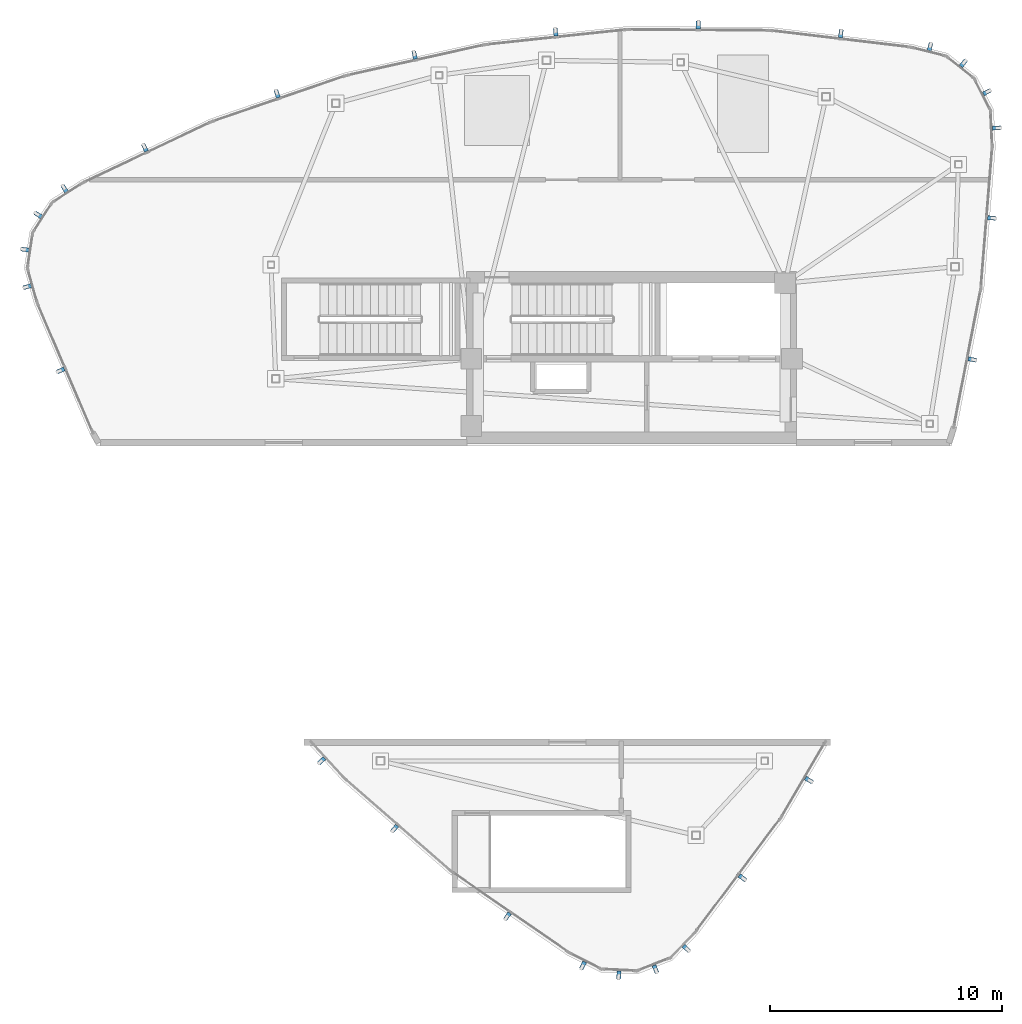
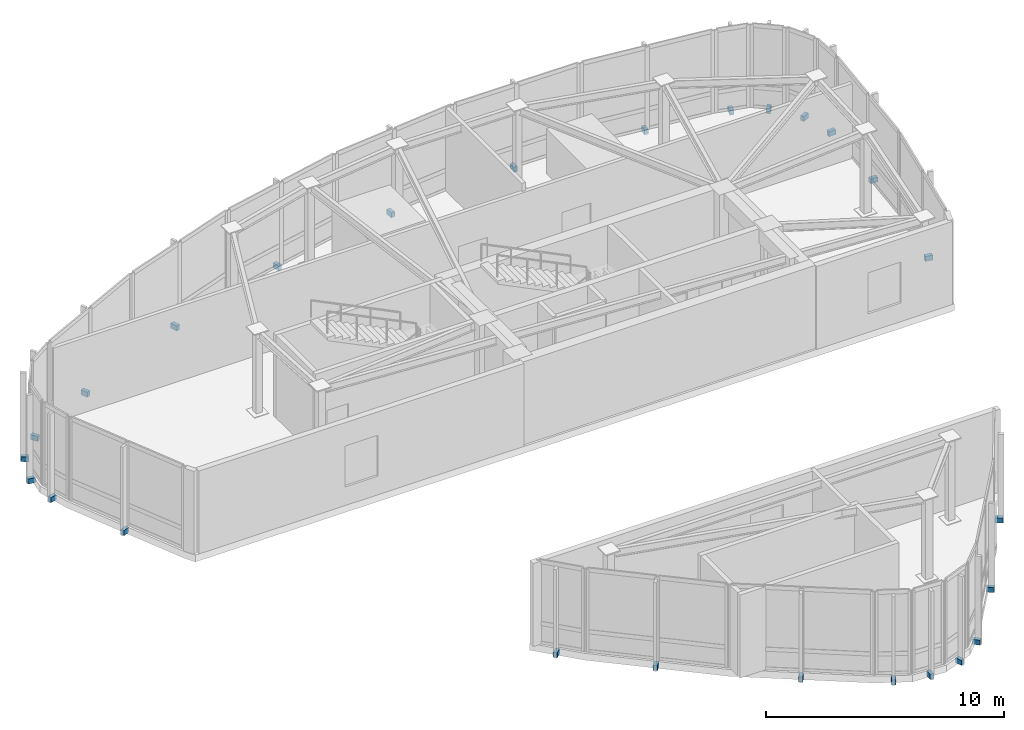
# One storey, part 11 of 15: 26 discrete accessories.
"""IFC4 building model written with IfcOpenShell, lengths in metres."""

from ifc_helpers import new_model, si_unit, direction, frame, origin, origin_2d, place, context, subcontext, project, spatial, rectangle, extrude, source, transform, mapped, material, type_object, type_shapes, element, save


model = new_model("IFC4")

# Units and contexts
model_context = context("Model", 3, precision=1e-05, world=origin(), true_north=direction((0.0, 1.0)))
body_context = subcontext(model_context, "Body", "Model", "MODEL_VIEW")
ifc_project = project(units=[si_unit("LENGTHUNIT", "METRE"), si_unit("AREAUNIT", "SQUARE_METRE"), si_unit("VOLUMEUNIT", "CUBIC_METRE"), si_unit("PLANEANGLEUNIT", "RADIAN"), si_unit("MASSUNIT", "GRAM", prefix="KILO")], contexts=[model_context])

# Site, building, storey
site_placement = place(None, origin())
site = spatial("IfcSite", under=ifc_project, at=site_placement, CompositionType="ELEMENT")
building_placement = place(site_placement, origin())
building = spatial("IfcBuilding", under=site, at=building_placement, Name="Tavelor Broadcast Tower", CompositionType="ELEMENT")
storey_placement = place(building_placement, frame((0.0, 0.0, 341.300048828125)))
storey = spatial("IfcBuildingStorey", under=building, at=storey_placement, Name="L81", CompositionType="ELEMENT", Elevation=341.300048828125)

# Discrete accessories
ifc_material = material(Name="Steel S355", Category="steel")
discrete_accessory_type = type_object("IfcDiscreteAccessoryType", Name="Stainless Baguette Outrigger Support Bracket 260x180", PredefinedType="BRACKET", material=ifc_material)
shared_shape = source(origin(), body_context, "Body", "SweptSolid", [
    extrude(rectangle(XDim=0.179931640625, YDim=0.340087890625, at=origin_2d()), origin(), (0.0, 0.0, 1.0), 0.251953125),
])
type_shapes(discrete_accessory_type, [shared_shape])
for number, where, z_axis, x_axis, name in (
    (1, (64.649169921875, 47.9169921875, -0.301025390625), (0.0, 0.0, 1.0), (0.191665553932, 0.981460297432, 0.0), "L81 Baguette Outrigger Bracket 797"),
    (2, (65.48681640625, 54.0048828125, -0.301025390625), (0.0, 0.0, 1.0), (0.080546860903, 0.996750823024, 0.0), "L81 Baguette Outrigger Bracket 798"),
    (3, (65.69482421875, 57.87744140625, -0.301025390625), (0.0, 0.0, 1.0), (-0.049721373869, 0.998763127564, 0.0), "L81 Baguette Outrigger Bracket 799"),
    (4, (65.28125, 59.42138671875, -0.301025390625), (0.0, 0.0, 1.0), (-0.4563215909, 0.889814927768, 0.0), "L81 Baguette Outrigger Bracket 800"),
    (5, (64.268798828125, 60.658203125, -0.301025390625), (0.0, 0.0, 1.0), (-0.782064612424, 0.623197353969, 0.0), "L81 Baguette Outrigger Bracket 801"),
    (6, (62.837158203125, 61.368896484375, -0.301025390625), (0.0, 0.0, 1.0), (-0.969230909707, 0.246153293029, 0.0), "L81 Baguette Outrigger Bracket 802"),
    (7, (58.999755859375, 61.930419921875, -0.301025390625), (0.0, 0.0, 1.0), (-0.993006778393, 0.11805735075, 0.0), "L81 Baguette Outrigger Bracket 803"),
    (8, (52.866455078125, 62.3125, -0.301025390625), (0.0, 0.0, 1.0), (-0.999981342241, 0.006108614391, 0.0), "L81 Baguette Outrigger Bracket 804"),
    (9, (46.72900390625, 62.0048828125, -0.301025390625), (0.0, 0.0, 1.0), (-0.994374976712, -0.105916975449, 0.0), "L81 Baguette Outrigger Bracket 805"),
    (10, (40.664306640625, 61.011962890625, -0.301025390625), (0.0, 0.0, 1.0), (-0.976220395964, -0.216780392341, 0.0), "L81 Baguette Outrigger Bracket 806"),
    (11, (34.749267578125, 59.345703125, -0.301025390625), (0.0, 0.0, 1.0), (-0.945802327348, -0.324742909981, 0.0), "L81 Baguette Outrigger Bracket 807"),
    (12, (29.05810546875, 57.02734375, -0.301025390625), (0.0, 0.0, 1.0), (-0.903484964433, -0.428619783775, 0.0), "L81 Baguette Outrigger Bracket 808"),
    (13, (25.600341796875, 55.27099609375, -0.301025390625), (0.0, 0.0, 1.0), (-0.840093553899, -0.542441536663, 0.0), "L81 Baguette Outrigger Bracket 809"),
    (14, (24.47021484375, 54.140869140625, -0.301025390625), (0.0, 0.0, 1.0), (-0.542441536663, -0.840093553899, 0.0), "L81 Baguette Outrigger Bracket 810"),
    (15, (23.9052734375, 52.645751953125, -0.301025390625), (0.0, 0.0, 1.0), (-0.148672433897, -0.988886498745, 0.0), "L81 Baguette Outrigger Bracket 811"),
    (16, (24.005615234375, 51.05078125, -0.301025390625), (0.0, 0.0, 1.0), (0.271440449865, -0.962455236454, 0.0), "L81 Baguette Outrigger Bracket 812"),
    (17, (25.437744140625, 47.446533203125, -0.301025390625), (0.0, 0.0, 1.0), (0.394262724343, -0.918997771593, 0.0), "L81 Baguette Outrigger Bracket 813"),
    (18, (36.659912109375, 30.65380859375, -0.301025390625), (0.0, 0.0, 1.0), (0.675847524792, -0.737041466427, 0.0), "L81 Baguette Outrigger Bracket 814"),
    (19, (39.801513671875, 27.7373046875, -0.301025390625), (0.0, 0.0, 1.0), (0.754136773416, -0.656717387452, 0.0), "L81 Baguette Outrigger Bracket 815"),
    (20, (44.65478515625, 23.9677734375, -0.301025390625), (0.0, 0.0, 1.0), (0.82293810353, -0.568131039249, 0.0), "L81 Baguette Outrigger Bracket 816"),
    (21, (47.90478515625, 21.851318359375, -0.301025390625), (0.0, 0.0, 1.0), (0.889814927768, -0.4563215909, 0.0), "L81 Baguette Outrigger Bracket 817"),
    (22, (49.44873046875, 21.437744140625, -0.301025390625), (0.0, 0.0, 1.0), (0.998763127564, -0.049721373869, 0.0), "L81 Baguette Outrigger Bracket 818"),
    (23, (51.02587890625, 21.696044921875, -0.301025390625), (0.0, 0.0, 1.0), (0.930737046321, 0.365689144775, 0.0), "L81 Baguette Outrigger Bracket 819"),
    (24, (52.357177734375, 22.58056640625, -0.301025390625), (0.0, 0.0, 1.0), (0.697790459842, 0.716301943425, 0.0), "L81 Baguette Outrigger Bracket 820"),
    (25, (54.76220703125, 25.622802734375, -0.301025390625), (0.0, 0.0, 1.0), (0.59874405405, 0.800940420843, 0.0), "L81 Baguette Outrigger Bracket 821"),
    (26, (57.622314453125, 29.82568359375, -0.301025390625), (0.0, 0.0, 1.0), (0.505280886365, 0.862954938496, 0.0), "L81 Baguette Outrigger Bracket 822"),
):
    element("IfcDiscreteAccessory", number, at=place(storey_placement, frame(where, z_axis=z_axis, x_axis=x_axis)), inside=storey, type_object=discrete_accessory_type, Name=name, PredefinedType="BRACKET", context=body_context, shape_type="MappedRepresentation", body=[
        mapped(shared_shape, transform((0.0, 0.0, 0.0), scale=1.0)),
    ])

save(model, "model.ifc")
